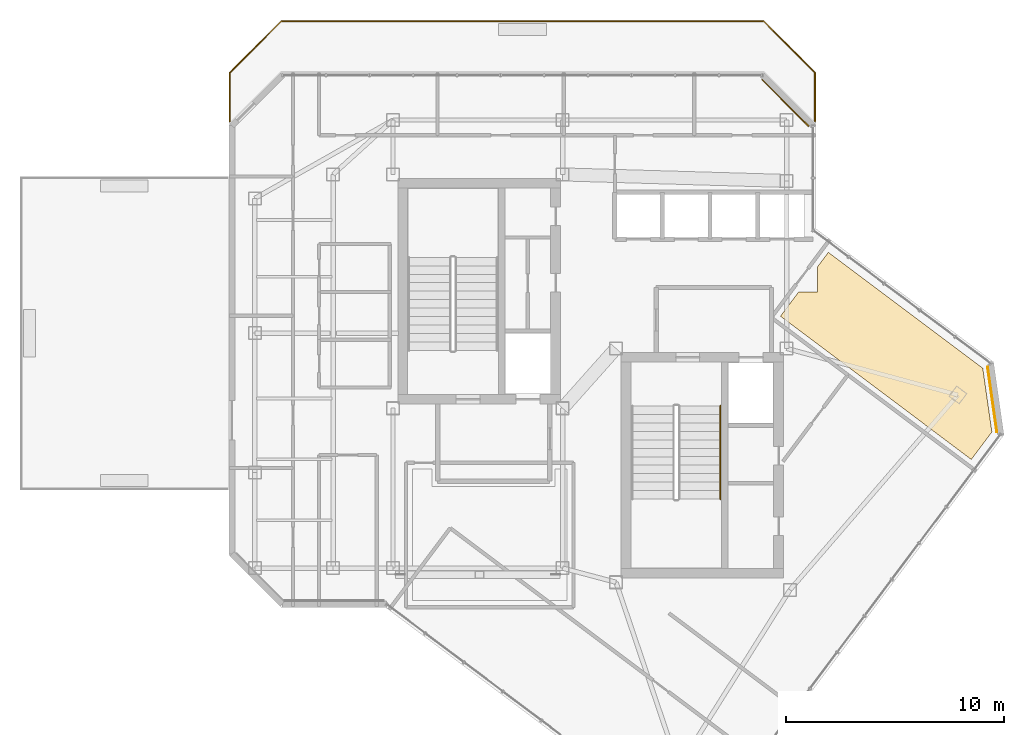
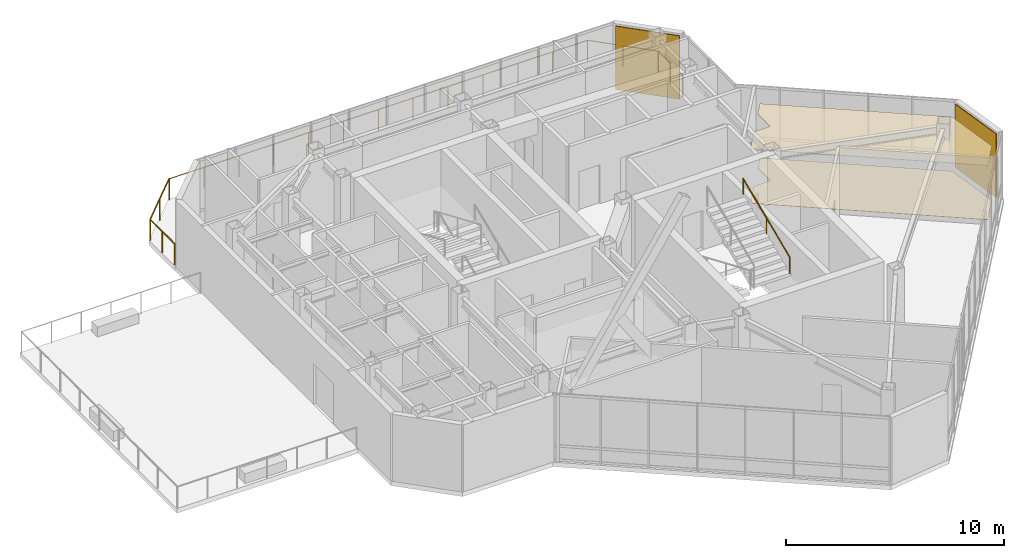
# One storey, part 21 of 21: 21 railings, 4 coverings.
"""IFC4 building model written with IfcOpenShell, lengths in metres."""

from ifc_helpers import new_model, si_unit, direction, frame, origin, origin_2d, place, context, subcontext, project, spatial, polyline, rectangle, circle, outline, extrude, material, layer, layer_set, type_object, element, save


model = new_model("IFC4")

# Units and contexts
model_context = context("Model", 3, precision=1e-05, world=origin(), true_north=direction((0.0, 1.0)))
body_context = subcontext(model_context, "Body", "Model", "MODEL_VIEW")
ifc_project = project(units=[si_unit("LENGTHUNIT", "METRE"), si_unit("AREAUNIT", "SQUARE_METRE"), si_unit("VOLUMEUNIT", "CUBIC_METRE"), si_unit("PLANEANGLEUNIT", "RADIAN"), si_unit("MASSUNIT", "GRAM", prefix="KILO")], contexts=[model_context])

# Site, building, storey
site_placement = place(None, origin())
site = spatial("IfcSite", under=ifc_project, at=site_placement, CompositionType="ELEMENT")
building_placement = place(site_placement, origin())
building = spatial("IfcBuilding", under=site, at=building_placement, Name="Hatsunagi Terrace Concourse", CompositionType="ELEMENT")
storey_placement = place(building_placement, frame((0.0, 0.0, 265.949951171875)))
storey = spatial("IfcBuildingStorey", under=building, at=storey_placement, Name="L70", CompositionType="ELEMENT", Elevation=265.949951171875)

# Coverings
ifc_material_1 = material(Name="Acoustic mineral board", Category="gypsum")
ifc_layer_1 = layer(ifc_material_1, 0.02001953125)
ifc_layer_set_1 = layer_set([ifc_layer_1], Name="AcousticMineralCeiling_20")
covering_type_1 = type_object("IfcCoveringType", Name="AcousticMineralCeiling_20", PredefinedType="CEILING", material=ifc_layer_set_1)
covering_1_placement = place(storey_placement, frame((0.0, 0.0, 3.030029296875)))
element("IfcCovering", 1, at=covering_1_placement, inside=storey, type_object=covering_type_1, Name="Suspended Ceiling L70-2", PredefinedType="CEILING", context=body_context, shape_type="SweptSolid", body=[
    extrude(outline(polyline([(52.666015625, 34.387939453125), (45.56201171875, 39.716064453125), (45.05810546875, 39.04296875), (45.054931640625, 37.89599609375), (44.194091796875, 37.89306640625), (43.360107421875, 36.780029296875), (52.135986328125, 30.197998046875), (53.083984375, 31.4619140625), (52.666015625, 34.387939453125)])), origin(), (0.0, 0.0, 1.0), 0.02001953125),
])
ifc_material_2 = material(Name="Hardwood timber", Category="wood")
ifc_layer_2 = layer(ifc_material_2, 0.014892578125)
ifc_layer_set_2 = layer_set([ifc_layer_2], Name="HardwoodTimberFlooring_15")
covering_type_2 = type_object("IfcCoveringType", Name="HardwoodTimberFlooring_15", PredefinedType="FLOORING", material=ifc_layer_set_2)
covering_2_placement = place(storey_placement, origin())
element("IfcCovering", 2, at=covering_2_placement, inside=storey, type_object=covering_type_2, Name="Finished Flooring L70-2", PredefinedType="FLOORING", context=body_context, shape_type="SweptSolid", body=[
    extrude(outline(polyline([(52.666015625, 34.387939453125), (45.56201171875, 39.716064453125), (45.05810546875, 39.04296875), (45.054931640625, 37.89599609375), (44.194091796875, 37.89306640625), (43.360107421875, 36.780029296875), (52.135986328125, 30.197998046875), (53.083984375, 31.4619140625), (52.666015625, 34.387939453125)])), origin(), (0.0, 0.0, 1.0), 0.01513671875),
])

# Railings
ifc_material_3 = material(Name="Stainless steel", Category="steel")
ifc_layer_3 = layer(ifc_material_3, 0.044921875)
ifc_layer_set_3 = layer_set([ifc_layer_3], Name="StairPitchHandrail_Tower2000")
railing_type_1 = type_object("IfcRailingType", Name="StairPitchHandrail_Tower2000", PredefinedType="HANDRAIL", material=ifc_layer_set_3)
railing_1_placement = place(storey_placement, frame((40.60009765625, 28.3701171875, 2.166748046875)))
element("IfcRailing", 3, at=railing_1_placement, inside=storey, type_object=railing_type_1, Name="L70 ST-B stair handrail 2", PredefinedType="HANDRAIL", context=body_context, shape_type="SweptSolid", body=[
    extrude(circle(Radius=0.02392578125, at=origin_2d()), frame((0.0, 0.0, 0.8759765625), z_axis=(0.0, 0.919550576919, 0.392971673899), x_axis=(-1.0, 0.0, 0.0)), (0.0, 0.0, 1.0), 4.6650390625),
    extrude(circle(Radius=0.02099609375, at=origin_2d()), origin(), (0.0, 0.0, 1.0), 0.851806640625),
    extrude(circle(Radius=0.02099609375, at=origin_2d()), frame((0.0, 2.14501953125, 0.91650390625)), (0.0, 0.0, 1.0), 0.851806640625),
    extrude(circle(Radius=0.02099609375, at=origin_2d()), frame((0.0, 4.289794921875, 1.833251953125)), (0.0, 0.0, 1.0), 0.851806640625),
])
ifc_material_4 = material(Name="Stainless Steel SUS316 Post-and-Rail Guard", Category="steel")
ifc_layer_4 = layer(ifc_material_4, 0.080078125)
ifc_layer_set_4 = layer_set([ifc_layer_4], Name="TerracePlantedGuardRail_1200")
railing_type_2 = type_object("IfcRailingType", Name="TerracePlantedGuardRail_1200", PredefinedType="GUARDRAIL", material=ifc_layer_set_4)
for number, where, name in (
    (4, (18.050048828125, 45.738037109375, 0.010009765625), "Sky Garden Guardrail GRD-02 TER-L70-2-1 #1"),
    (5, (18.050048828125, 46.862060546875, 0.010009765625), "Sky Garden Guardrail GRD-02 TER-L70-2-1 #2"),
):
    element("IfcRailing", number, at=place(storey_placement, frame(where)), inside=storey, type_object=railing_type_2, Name=name, PredefinedType="GUARDRAIL", context=body_context, shape_type="SweptSolid", body=[
        extrude(circle(Radius=0.02392578125, at=origin_2d()), frame((0.0, 0.0, 1.17578125), z_axis=(0.0, 1.0, 0.0), x_axis=(-1.0, 0.0, 0.0)), (0.0, 0.0, 1.0), 1.116943359375),
        extrude(circle(Radius=0.02099609375, at=origin_2d()), origin(), (0.0, 0.0, 1.0), 1.15185546875),
        extrude(circle(Radius=0.02099609375, at=origin_2d()), frame((0.0, 1.116943359375, 0.0)), (0.0, 0.0, 1.0), 1.15185546875),
    ])
for number, where, name in (
    (6, (18.050048828125, 47.97900390625, 0.010009765625), "Sky Garden Guardrail GRD-02 TER-L70-2-1 #3"),
    (7, (19.238037109375, 49.1669921875, 0.010009765625), "Sky Garden Guardrail GRD-02 TER-L70-2-1 #4"),
):
    element("IfcRailing", number, at=place(storey_placement, frame(where)), inside=storey, type_object=railing_type_2, Name=name, PredefinedType="GUARDRAIL", context=body_context, shape_type="SweptSolid", body=[
        extrude(circle(Radius=0.02392578125, at=origin_2d()), frame((0.0, 0.0, 1.17578125), z_axis=(0.707033812116, 0.707179742728, 0.0), x_axis=(-0.707179742728, 0.707033812116, 0.0)), (0.0, 0.0, 1.0), 1.673095703125),
        extrude(circle(Radius=0.02099609375, at=origin_2d()), origin(), (0.0, 0.0, 1.0), 1.15185546875),
        extrude(circle(Radius=0.02099609375, at=origin_2d()), frame((1.182861328125, 1.18310546875, 0.0)), (0.0, 0.0, 1.0), 1.15185546875),
    ])
railing_2_placement = place(storey_placement, frame((20.4208984375, 50.35009765625, 0.010009765625)))
element("IfcRailing", 8, at=railing_2_placement, inside=storey, type_object=railing_type_2, Name="Sky Garden Guardrail GRD-02 TER-L70-2-1 #5", PredefinedType="GUARDRAIL", context=body_context, shape_type="SweptSolid", body=[
    extrude(circle(Radius=0.02392578125, at=origin_2d()), frame((0.0, 0.0, 1.17578125), z_axis=(1.0, 0.0, 0.0), x_axis=(0.0, 1.0, 0.0)), (0.0, 0.0, 1.0), 1.843017578125),
    extrude(circle(Radius=0.02099609375, at=origin_2d()), origin(), (0.0, 0.0, 1.0), 1.15185546875),
    extrude(circle(Radius=0.02099609375, at=origin_2d()), frame((1.843017578125, 0.0, 0.0)), (0.0, 0.0, 1.0), 1.15185546875),
])
railing_3_placement = place(storey_placement, frame((22.27099609375, 50.35009765625, 0.010009765625)))
element("IfcRailing", 9, at=railing_3_placement, inside=storey, type_object=railing_type_2, Name="Sky Garden Guardrail GRD-02 TER-L70-2-1 #6", PredefinedType="GUARDRAIL", context=body_context, shape_type="SweptSolid", body=[
    extrude(circle(Radius=0.02392578125, at=origin_2d()), frame((0.0, 0.0, 1.17578125), z_axis=(1.0, 0.0, 0.0), x_axis=(0.0, 1.0, 0.0)), (0.0, 0.0, 1.0), 1.839111328125),
    extrude(circle(Radius=0.02099609375, at=origin_2d()), origin(), (0.0, 0.0, 1.0), 1.15185546875),
    extrude(circle(Radius=0.02099609375, at=origin_2d()), frame((1.839111328125, 0.0, 0.0)), (0.0, 0.0, 1.0), 1.15185546875),
])
railing_4_placement = place(storey_placement, frame((24.117919921875, 50.35009765625, 0.010009765625)))
element("IfcRailing", 10, at=railing_4_placement, inside=storey, type_object=railing_type_2, Name="Sky Garden Guardrail GRD-02 TER-L70-2-1 #7", PredefinedType="GUARDRAIL", context=body_context, shape_type="SweptSolid", body=[
    extrude(circle(Radius=0.02392578125, at=origin_2d()), frame((0.0, 0.0, 1.17578125), z_axis=(1.0, 0.0, 0.0), x_axis=(0.0, 1.0, 0.0)), (0.0, 0.0, 1.0), 1.838134765625),
    extrude(circle(Radius=0.02099609375, at=origin_2d()), origin(), (0.0, 0.0, 1.0), 1.15185546875),
    extrude(circle(Radius=0.02099609375, at=origin_2d()), frame((1.838134765625, 0.0, 0.0)), (0.0, 0.0, 1.0), 1.15185546875),
])
for number, where, name in (
    (11, (25.965087890625, 50.35009765625, 0.010009765625), "Sky Garden Guardrail GRD-02 TER-L70-2-1 #8"),
    (12, (27.81103515625, 50.35009765625, 0.010009765625), "Sky Garden Guardrail GRD-02 TER-L70-2-1 #9"),
):
    element("IfcRailing", number, at=place(storey_placement, frame(where)), inside=storey, type_object=railing_type_2, Name=name, PredefinedType="GUARDRAIL", context=body_context, shape_type="SweptSolid", body=[
        extrude(circle(Radius=0.02392578125, at=origin_2d()), frame((0.0, 0.0, 1.17578125), z_axis=(1.0, 0.0, 0.0), x_axis=(0.0, 1.0, 0.0)), (0.0, 0.0, 1.0), 1.837890625),
        extrude(circle(Radius=0.02099609375, at=origin_2d()), origin(), (0.0, 0.0, 1.0), 1.15185546875),
        extrude(circle(Radius=0.02099609375, at=origin_2d()), frame((1.837890625, 0.0, 0.0)), (0.0, 0.0, 1.0), 1.15185546875),
    ])
for number, where, name in (
    (13, (29.656982421875, 50.35009765625, 0.010009765625), "Sky Garden Guardrail GRD-02 TER-L70-2-1 #10"),
    (14, (31.50390625, 50.35009765625, 0.010009765625), "Sky Garden Guardrail GRD-02 TER-L70-2-1 #11"),
):
    element("IfcRailing", number, at=place(storey_placement, frame(where)), inside=storey, type_object=railing_type_2, Name=name, PredefinedType="GUARDRAIL", context=body_context, shape_type="SweptSolid", body=[
        extrude(circle(Radius=0.02392578125, at=origin_2d()), frame((0.0, 0.0, 1.17578125), z_axis=(1.0, 0.0, 0.0), x_axis=(0.0, 1.0, 0.0)), (0.0, 0.0, 1.0), 1.839111328125),
        extrude(circle(Radius=0.02099609375, at=origin_2d()), origin(), (0.0, 0.0, 1.0), 1.15185546875),
        extrude(circle(Radius=0.02099609375, at=origin_2d()), frame((1.839111328125, 0.0, 0.0)), (0.0, 0.0, 1.0), 1.15185546875),
    ])
railing_5_placement = place(storey_placement, frame((33.35009765625, 50.35009765625, 0.010009765625)))
element("IfcRailing", 15, at=railing_5_placement, inside=storey, type_object=railing_type_2, Name="Sky Garden Guardrail GRD-02 TER-L70-2-1 #12", PredefinedType="GUARDRAIL", context=body_context, shape_type="SweptSolid", body=[
    extrude(circle(Radius=0.02392578125, at=origin_2d()), frame((0.0, 0.0, 1.17578125), z_axis=(1.0, 0.0, 0.0), x_axis=(0.0, 1.0, 0.0)), (0.0, 0.0, 1.0), 1.8388671875),
    extrude(circle(Radius=0.02099609375, at=origin_2d()), origin(), (0.0, 0.0, 1.0), 1.15185546875),
    extrude(circle(Radius=0.02099609375, at=origin_2d()), frame((1.8388671875, 0.0, 0.0)), (0.0, 0.0, 1.0), 1.15185546875),
])
railing_6_placement = place(storey_placement, frame((35.197021484375, 50.35009765625, 0.010009765625)))
element("IfcRailing", 16, at=railing_6_placement, inside=storey, type_object=railing_type_2, Name="Sky Garden Guardrail GRD-02 TER-L70-2-1 #13", PredefinedType="GUARDRAIL", context=body_context, shape_type="SweptSolid", body=[
    extrude(circle(Radius=0.02392578125, at=origin_2d()), frame((0.0, 0.0, 1.17578125), z_axis=(1.0, 0.0, 0.0), x_axis=(0.0, 1.0, 0.0)), (0.0, 0.0, 1.0), 1.837890625),
    extrude(circle(Radius=0.02099609375, at=origin_2d()), origin(), (0.0, 0.0, 1.0), 1.15185546875),
    extrude(circle(Radius=0.02099609375, at=origin_2d()), frame((1.837890625, 0.0, 0.0)), (0.0, 0.0, 1.0), 1.15185546875),
])
railing_7_placement = place(storey_placement, frame((37.04296875, 50.35009765625, 0.010009765625)))
element("IfcRailing", 17, at=railing_7_placement, inside=storey, type_object=railing_type_2, Name="Sky Garden Guardrail GRD-02 TER-L70-2-1 #14", PredefinedType="GUARDRAIL", context=body_context, shape_type="SweptSolid", body=[
    extrude(circle(Radius=0.02392578125, at=origin_2d()), frame((0.0, 0.0, 1.17578125), z_axis=(1.0, 0.0, 0.0), x_axis=(0.0, 1.0, 0.0)), (0.0, 0.0, 1.0), 1.839111328125),
    extrude(circle(Radius=0.02099609375, at=origin_2d()), origin(), (0.0, 0.0, 1.0), 1.15185546875),
    extrude(circle(Radius=0.02099609375, at=origin_2d()), frame((1.839111328125, 0.0, 0.0)), (0.0, 0.0, 1.0), 1.15185546875),
])
railing_8_placement = place(storey_placement, frame((38.889892578125, 50.35009765625, 0.010009765625)))
element("IfcRailing", 18, at=railing_8_placement, inside=storey, type_object=railing_type_2, Name="Sky Garden Guardrail GRD-02 TER-L70-2-1 #15", PredefinedType="GUARDRAIL", context=body_context, shape_type="SweptSolid", body=[
    extrude(circle(Radius=0.02392578125, at=origin_2d()), frame((0.0, 0.0, 1.17578125), z_axis=(1.0, 0.0, 0.0), x_axis=(0.0, 1.0, 0.0)), (0.0, 0.0, 1.0), 1.838134765625),
    extrude(circle(Radius=0.02099609375, at=origin_2d()), origin(), (0.0, 0.0, 1.0), 1.15185546875),
    extrude(circle(Radius=0.02099609375, at=origin_2d()), frame((1.838134765625, 0.0, 0.0)), (0.0, 0.0, 1.0), 1.15185546875),
])
railing_9_placement = place(storey_placement, frame((40.736083984375, 50.35009765625, 0.010009765625)))
element("IfcRailing", 19, at=railing_9_placement, inside=storey, type_object=railing_type_2, Name="Sky Garden Guardrail GRD-02 TER-L70-2-1 #16", PredefinedType="GUARDRAIL", context=body_context, shape_type="SweptSolid", body=[
    extrude(circle(Radius=0.02392578125, at=origin_2d()), frame((0.0, 0.0, 1.17578125), z_axis=(1.0, 0.0, 0.0), x_axis=(0.0, 1.0, 0.0)), (0.0, 0.0, 1.0), 1.843017578125),
    extrude(circle(Radius=0.02099609375, at=origin_2d()), origin(), (0.0, 0.0, 1.0), 1.15185546875),
    extrude(circle(Radius=0.02099609375, at=origin_2d()), frame((1.843017578125, 0.0, 0.0)), (0.0, 0.0, 1.0), 1.15185546875),
])
for number, where, name in (
    (20, (42.5791015625, 50.35009765625, 0.010009765625), "Sky Garden Guardrail GRD-02 TER-L70-2-1 #17"),
    (21, (43.76708984375, 49.162109375, 0.010009765625), "Sky Garden Guardrail GRD-02 TER-L70-2-1 #18"),
):
    element("IfcRailing", number, at=place(storey_placement, frame(where)), inside=storey, type_object=railing_type_2, Name=name, PredefinedType="GUARDRAIL", context=body_context, shape_type="SweptSolid", body=[
        extrude(circle(Radius=0.02392578125, at=origin_2d()), frame((0.0, 0.0, 1.17578125), z_axis=(0.707033812116, -0.707179742728, 0.0), x_axis=(0.707179742728, 0.707033812116, 0.0)), (0.0, 0.0, 1.0), 1.673095703125),
        extrude(circle(Radius=0.02099609375, at=origin_2d()), origin(), (0.0, 0.0, 1.0), 1.15185546875),
        extrude(circle(Radius=0.02099609375, at=origin_2d()), frame((1.182861328125, -1.18310546875, 0.0)), (0.0, 0.0, 1.0), 1.15185546875),
    ])
for number, where, name in (
    (22, (44.949951171875, 47.97900390625, 0.010009765625), "Sky Garden Guardrail GRD-02 TER-L70-2-1 #19"),
    (23, (44.949951171875, 46.85498046875, 0.010009765625), "Sky Garden Guardrail GRD-02 TER-L70-2-1 #20"),
):
    element("IfcRailing", number, at=place(storey_placement, frame(where)), inside=storey, type_object=railing_type_2, Name=name, PredefinedType="GUARDRAIL", context=body_context, shape_type="SweptSolid", body=[
        extrude(circle(Radius=0.02392578125, at=origin_2d()), frame((0.0, 0.0, 1.17578125), z_axis=(0.0, -1.0, 0.0), x_axis=(1.0, 0.0, 0.0)), (0.0, 0.0, 1.0), 1.116943359375),
        extrude(circle(Radius=0.02099609375, at=origin_2d()), origin(), (0.0, 0.0, 1.0), 1.15185546875),
        extrude(circle(Radius=0.02099609375, at=origin_2d()), frame((0.0, -1.116943359375, 0.0)), (0.0, 0.0, 1.0), 1.15185546875),
    ])

# Coverings
ifc_material_5 = material(Name="Unglazed Warm Terracotta Rainscreen Tile", Category="masonry")
ifc_layer_5 = layer(ifc_material_5, 0.044921875)
ifc_layer_set_5 = layer_set([ifc_layer_5], Name="TerracottaRainscreenCladding_45")
covering_type_3 = type_object("IfcCoveringType", Name="TerracottaRainscreenCladding_45", PredefinedType="CLADDING", material=ifc_layer_set_5)
for number, where, z_axis, x_axis, name in (
    (24, (53.10107421875, 32.9580078125, 0.10009765625), (0.0, 0.0, 1.0), (0.141250262458, -0.989973920543, 0.0), "Terracotta Rainscreen Cladding L70-02"),
    (25, (43.5859375, 46.5859375, 0.10009765625), (0.0, 0.0, 1.0), (0.707106781187, -0.707106781187, 0.0), "Terracotta Rainscreen Cladding L70-11"),
):
    element("IfcCovering", number, at=place(storey_placement, frame(where, z_axis=z_axis, x_axis=x_axis)), inside=storey, type_object=covering_type_3, Name=name, PredefinedType="CLADDING", context=body_context, shape_type="SweptSolid", body=[
        extrude(rectangle(XDim=3.0380859375, YDim=0.044921875, at=origin_2d()), origin(), (0.0, 0.0, 1.0), 3.550048828125),
    ])

save(model, "model.ifc")
